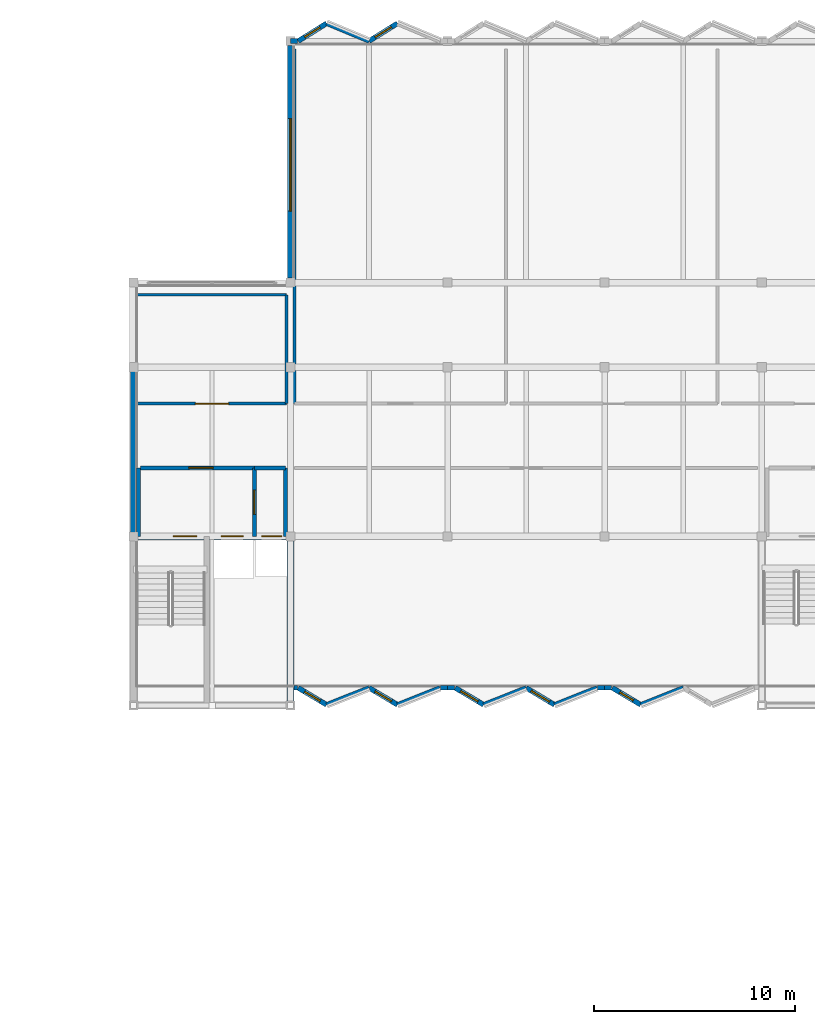
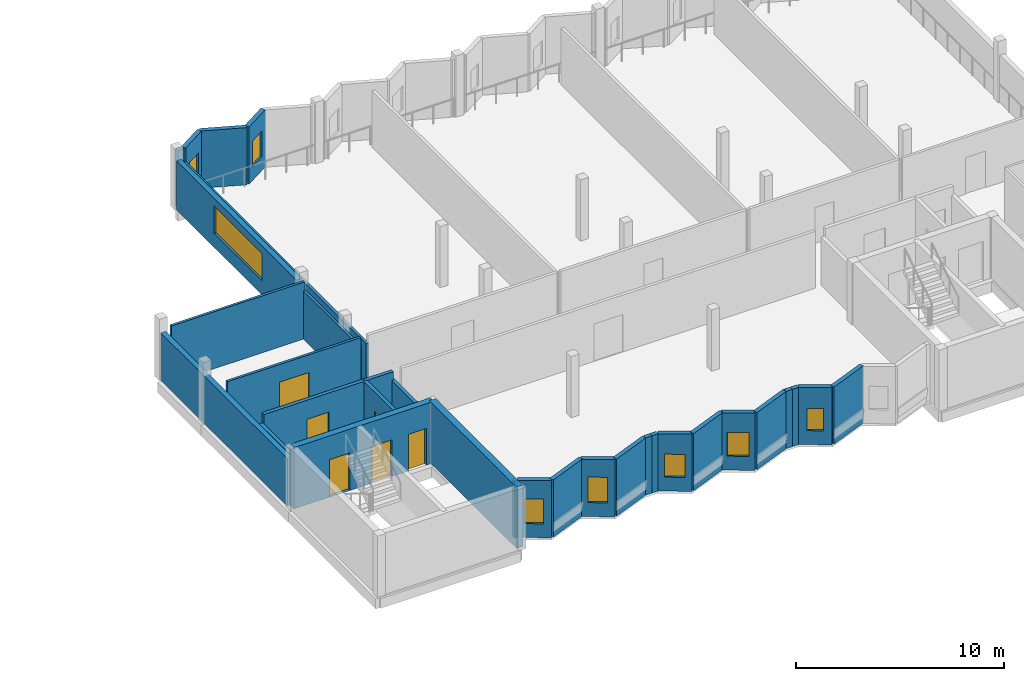
# One storey, part 16 of 25: 32 walls, 8 windows, 6 doors, 14 openings.
"""IFC4 building model written with IfcOpenShell, lengths in metres."""

import ifcopenshell
import ifcopenshell.guid

model = None  # the IFC model being written
_history = None  # IfcOwnerHistory: only IFC2X3 demands one
_inside = {}  # id of a spatial element -> (the spatial element, [elements in it])
_under = {}  # id of a project, library or spatial element -> (it, [spatial elements below it])
_declared = {}  # id of a project -> (the project, [libraries it declares])
_typed = {}  # id of a type object -> (the type object, [elements of that type])
_made_of = {}  # id of a material, layer set ... -> (it, [elements and type objects made of it])


def new_model(schema):
    """Start an empty IFC model of exactly this schema.

    Asked for "IFC4X3", IfcOpenShell would pick the latest addendum, in which some entities
    have other attributes; the version numbers below select the first issue.
    IFC2X3 requires an IfcOwnerHistory on every rooted entity: one is made here for all.
    """
    global model, _history
    if schema == "IFC4X3":
        model = ifcopenshell.file(schema_version=(4, 3, 0, 0))
    else:
        model = ifcopenshell.file(schema=schema)
    _inside.clear()
    _under.clear()
    _declared.clear()
    _typed.clear()
    _made_of.clear()
    _history = None
    if model.schema == "IFC2X3":
        org = make("IfcOrganization", Name="unknown")
        user = make(
            "IfcPersonAndOrganization",
            ThePerson=make("IfcPerson", FamilyName="unknown"),
            TheOrganization=org,
        )
        app = make(
            "IfcApplication",
            ApplicationDeveloper=org,
            Version="unknown",
            ApplicationFullName="unknown",
            ApplicationIdentifier="unknown",
        )
        _history = make(
            "IfcOwnerHistory",
            OwningUser=user,
            OwningApplication=app,
            ChangeAction="ADDED",
            CreationDate=0,
        )
    return model


def make(cls, **values):
    """One entity of the class cls with the attributes given. An attribute that is None is left unset."""
    return model.create_entity(
        cls, **{name: value for name, value in values.items() if value is not None}
    )


def rooted(cls, **values):
    """An entity with a GlobalId (a new one), such as an element, a storey or a relation."""
    return make(cls, GlobalId=ifcopenshell.guid.new(), OwnerHistory=_history, **values)


def si_unit(unit_type, name, prefix=None):
    """IfcSIUnit, for example si_unit("LENGTHUNIT", "METRE", prefix="MILLI")."""
    return make("IfcSIUnit", UnitType=unit_type, Prefix=prefix, Name=name)


def assignment(units):
    """IfcUnitAssignment: the units of a project."""
    return None if units is None else make("IfcUnitAssignment", Units=units)


def point(xyz):
    """IfcCartesianPoint."""
    return None if xyz is None else make("IfcCartesianPoint", Coordinates=xyz)


def direction(xyz):
    """IfcDirection."""
    return None if xyz is None else make("IfcDirection", DirectionRatios=xyz)


def frame(location, z_axis=None, x_axis=None):
    """IfcAxis2Placement3D, a coordinate frame: its origin and axes. An axis left out is left unset."""
    return make(
        "IfcAxis2Placement3D",
        Location=point(location),
        Axis=direction(z_axis),
        RefDirection=direction(x_axis),
    )


def frame_2d(location, x_axis=None):
    """IfcAxis2Placement2D, a coordinate frame in the plane: its origin and x axis."""
    return make(
        "IfcAxis2Placement2D", Location=point(location), RefDirection=direction(x_axis)
    )


def origin():
    """The frame at (0, 0, 0) with its axes left unset."""
    return frame((0.0, 0.0, 0.0))


def place(relative_to, where):
    """IfcLocalPlacement: puts the frame where relative to a parent placement (None: the world)."""
    return make(
        "IfcLocalPlacement", PlacementRelTo=relative_to, RelativePlacement=where
    )


def context(
    kind, dimensions, precision=None, world=None, true_north=None, identifier=None
):
    """IfcGeometricRepresentationContext, for example the 3D "Model" context."""
    return make(
        "IfcGeometricRepresentationContext",
        ContextIdentifier=identifier,
        ContextType=kind,
        CoordinateSpaceDimension=dimensions,
        Precision=precision,
        WorldCoordinateSystem=world,
        TrueNorth=true_north,
    )


def subcontext(parent, identifier, kind, view, scale=None):
    """IfcGeometricRepresentationSubContext, for example "Body" below "Model"."""
    return make(
        "IfcGeometricRepresentationSubContext",
        ContextIdentifier=identifier,
        ContextType=kind,
        ParentContext=parent,
        TargetScale=scale,
        TargetView=view,
    )


def project(units=None, contexts=None):
    """IfcProject with its units and contexts."""
    return rooted(
        "IfcProject",
        Name="project",
        RepresentationContexts=contexts,
        UnitsInContext=assignment(units),
    )


def spatial(cls, under=None, at=None, **own):
    """A site, building, storey or space (cls), placed at a placement, below another one or the project."""
    s = rooted(cls, ObjectPlacement=at, **own)
    if under is not None:
        _under.setdefault(under.id(), (under, []))[1].append(s)
    return s


def profile(cls, at=None, kind="AREA", **sizes):
    """A parametric profile (cls). Its sizes go by their IFC names, for example OverallWidth=200.0."""
    return make(cls, ProfileType=kind, Position=at, **sizes)


def rectangle(**sizes):
    """IfcRectangleProfileDef."""
    return profile("IfcRectangleProfileDef", **sizes)


def extrude(swept, where, along, depth):
    """IfcExtrudedAreaSolid: the profile swept, set in the frame where, extruded along a direction by depth."""
    return make(
        "IfcExtrudedAreaSolid",
        SweptArea=swept,
        Position=where,
        ExtrudedDirection=direction(along),
        Depth=depth,
    )


def shape(context_of_items, identifier, shape_type, items):
    """IfcShapeRepresentation: the items that make up one representation, for example the "Body"."""
    return make(
        "IfcShapeRepresentation",
        ContextOfItems=context_of_items,
        RepresentationIdentifier=identifier,
        RepresentationType=shape_type,
        Items=items,
    )


def material(Name=None, Category=None):
    """IfcMaterial."""
    return make("IfcMaterial", Name=Name, Category=Category)


def layer(
    of_material, thickness, ventilated=None, Name=None, Category=None, Priority=None
):
    """IfcMaterialLayer: one layer of a wall or slab, of a material (None: an air gap)."""
    return make(
        "IfcMaterialLayer",
        Material=of_material,
        LayerThickness=thickness,
        IsVentilated=ventilated,
        Name=Name,
        Category=Category,
        Priority=Priority,
    )


def layer_set(layers, Name=None):
    """IfcMaterialLayerSet."""
    return make("IfcMaterialLayerSet", MaterialLayers=layers, LayerSetName=Name)


def made_of(thing, what):
    """Note that an element or type object is made of a material, layer set ...; save() writes the relation."""
    if what is not None:
        _made_of.setdefault(what.id(), (what, []))[1].append(thing)
    return thing


def type_object(cls, material=None, **own):
    """A type object (cls), such as IfcWallType, which elements share."""
    return made_of(rooted(cls, **own), material)


def element(
    cls,
    number,
    at=None,
    inside=None,
    cuts=None,
    type_object=None,
    material=None,
    context=None,
    identifier="Body",
    shape_type=None,
    held_by="IfcProductDefinitionShape",
    body=None,
    shapes=None,
    **own,
):
    """One element of the class cls, such as IfcWall. Its Tag is "e" and its number.

    at: its placement. inside: the storey or other place that contains it. cuts: it is an
    opening in that element (IfcRelVoidsElement). A single representation is given by context,
    identifier, shape_type and body (its items); several are given by shapes. held_by: the class
    of the entity that holds the representations. save() writes the other relations.
    """
    e = rooted(cls, Tag="e%d" % number, ObjectPlacement=at, **own)
    if body is not None:
        shapes = [shape(context, identifier, shape_type, body)]
    if shapes is not None:
        e.Representation = make(held_by, Representations=shapes)
    if inside is not None:
        _inside.setdefault(inside.id(), (inside, []))[1].append(e)
    if cuts is not None:
        rooted(
            "IfcRelVoidsElement", RelatingBuildingElement=cuts, RelatedOpeningElement=e
        )
    if type_object is not None:
        _typed.setdefault(type_object.id(), (type_object, []))[1].append(e)
    return made_of(e, material)


def fill(opening, filler):
    """IfcRelFillsElement: the door or window that sits in an opening."""
    return rooted(
        "IfcRelFillsElement",
        RelatingOpeningElement=opening,
        RelatedBuildingElement=filler,
    )


def aggregate(whole, parts):
    """IfcRelAggregates: a whole, such as a stair, and the parts it consists of."""
    return rooted("IfcRelAggregates", RelatingObject=whole, RelatedObjects=parts)


def save(model, path):
    """Write the relations noted so far, then the file.

    IfcRelAggregates (storeys below a building ...), IfcRelContainedInSpatialStructure (elements
    in a storey), IfcRelDefinesByType, IfcRelAssociatesMaterial and IfcRelDeclares: one each for
    every whole, place, type object, material and project.
    """
    for whole, parts in _under.values():
        aggregate(whole, parts)
    for where, things in _inside.values():
        rooted(
            "IfcRelContainedInSpatialStructure",
            RelatedElements=things,
            RelatingStructure=where,
        )
    for kind, things in _typed.values():
        rooted("IfcRelDefinesByType", RelatedObjects=things, RelatingType=kind)
    for what, things in _made_of.values():
        rooted("IfcRelAssociatesMaterial", RelatedObjects=things, RelatingMaterial=what)
    for by, libraries in _declared.values():
        rooted("IfcRelDeclares", RelatingContext=by, RelatedDefinitions=libraries)
    model.write(path)


model = new_model("IFC4")

# Units and contexts
model_context = context("Model", 3, precision=1e-05, world=origin(), true_north=direction((0.0, 1.0)))
body_context = subcontext(model_context, "Body", "Model", "MODEL_VIEW")
ifc_project = project(units=[si_unit("LENGTHUNIT", "METRE"), si_unit("AREAUNIT", "SQUARE_METRE"), si_unit("VOLUMEUNIT", "CUBIC_METRE"), si_unit("PLANEANGLEUNIT", "RADIAN"), si_unit("MASSUNIT", "GRAM", prefix="KILO")], contexts=[model_context])

# Site, building, storey
site_placement = place(None, origin())
site = spatial("IfcSite", under=ifc_project, at=site_placement, CompositionType="ELEMENT")
building_placement = place(site_placement, origin())
building = spatial("IfcBuilding", under=site, at=building_placement, Name="Vharandega Faculty of Natural Sciences", CompositionType="ELEMENT")
storey_placement = place(building_placement, frame((0.0, 0.0, 25.199951171875)))
storey = spatial("IfcBuildingStorey", under=building, at=storey_placement, Name="L06", CompositionType="ELEMENT", Elevation=25.199951171875)

# Wall
ifc_material_1 = material(Name="Concrete C40/50", Category="concrete")
ifc_layer_1 = layer(ifc_material_1, 0.35009765625, Name="Concrete C40/50")
ifc_layer_set_1 = layer_set([ifc_layer_1], Name="Concrete C40/50")
wall_type_1 = type_object("IfcWallType", Name="Core Shear Wall 350", PredefinedType="SHEAR", material=ifc_layer_set_1)
wall_1_placement = place(storey_placement, frame((122.60009765625, 64.0, 0.0), z_axis=(0.0, 0.0, 1.0), x_axis=(0.0, 1.0, 0.0)))
element("IfcWall", 1, at=wall_1_placement, inside=storey, type_object=wall_type_1, Name="Interior Wall CW-C1-L06-E", PredefinedType="SHEAR", context=body_context, shape_type="SweptSolid", body=[
    extrude(rectangle(XDim=8.39990234375, YDim=0.35009765625, at=frame_2d((4.199951171875, 0.0))), origin(), (0.0, 0.0, 1.0), 3.60009765625),
])

# Wall, openings, doors
wall_2_placement = place(storey_placement, frame((114.800048828125, 72.39990234375, 0.0), z_axis=(0.0, 0.0, 1.0), x_axis=(1.0, 0.0, 0.0)))
wall_2 = element("IfcWall", 2, at=wall_2_placement, inside=storey, type_object=wall_type_1, Name="Interior Wall CW-C1-L06-N", PredefinedType="SHEAR", context=body_context, shape_type="SweptSolid", body=[
    extrude(rectangle(XDim=7.800048828125, YDim=0.35009765625, at=frame_2d((3.89990234375, 0.0))), origin(), (0.0, 0.0, 1.0), 3.60009765625),
])
opening_1_placement = place(wall_2_placement, frame((1.97998046875, 0.0, 0.0)))
opening_1 = element("IfcOpeningElement", 3, at=opening_1_placement, cuts=wall_2, Name="Opening FD1", PredefinedType="OPENING", context=body_context, shape_type="SweptSolid", body=[
    extrude(rectangle(XDim=1.14990234375, YDim=2.199951171875, at=frame_2d((0.574951171875, 1.10009765625))), frame((0.0, 0.18505859375, 0.0), z_axis=(0.0, -1.0, 0.0), x_axis=(1.0, 0.0, 0.0)), (0.0, 0.0, 1.0), 0.3701171875),
])
opening_2_placement = place(wall_2_placement, frame((4.35009765625, 0.0, 0.0)))
opening_2 = element("IfcOpeningElement", 4, at=opening_2_placement, cuts=wall_2, Name="Opening LD-FL1-L06", PredefinedType="OPENING", context=body_context, shape_type="SweptSolid", body=[
    extrude(rectangle(XDim=1.10009765625, YDim=2.14990234375, at=frame_2d((0.550048828125, 1.074951171875))), frame((0.0, 0.18505859375, 0.0), z_axis=(0.0, -1.0, 0.0), x_axis=(1.0, 0.0, 0.0)), (0.0, 0.0, 1.0), 0.3701171875),
])
opening_3_placement = place(wall_2_placement, frame((6.360107421875, 0.0, 0.0)))
opening_3 = element("IfcOpeningElement", 5, at=opening_3_placement, cuts=wall_2, Name="Opening LD-LP1-L06", PredefinedType="OPENING", context=body_context, shape_type="SweptSolid", body=[
    extrude(rectangle(XDim=1.0, YDim=2.14990234375, at=frame_2d((0.5, 1.074951171875))), frame((0.0, 0.18505859375, 0.0), z_axis=(0.0, -1.0, 0.0), x_axis=(1.0, 0.0, 0.0)), (0.0, 0.0, 1.0), 0.3701171875),
])
ifc_material_2 = material(Name="Solid-core hardwood timber fire door", Category="wood")
door_type_1 = type_object("IfcDoorType", Name="FD1-STAIR-1150x2200", OperationType="NOTDEFINED", PredefinedType="DOOR", material=ifc_material_2)
door_1_placement = place(opening_1_placement, origin())
door_1 = element("IfcDoor", 6, at=door_1_placement, inside=storey, type_object=door_type_1, Name="Stair ST1 Fire Door FD1", OperationType="SINGLE_SWING_LEFT", OverallHeight=2.199951171875, OverallWidth=1.14990234375, PredefinedType="DOOR", context=body_context, shape_type="SweptSolid", body=[
    extrude(rectangle(XDim=1.14990234375, YDim=2.199951171875, at=frame_2d((0.574951171875, 1.10009765625))), frame((0.0, 0.02490234375, 0.0), z_axis=(0.0, -1.0, 0.0), x_axis=(1.0, 0.0, 0.0)), (0.0, 0.0, 1.0), 0.050048828125),
])
fill(opening_1, door_1)
ifc_material_3 = material(Name="Brushed stainless steel sliding landing door", Category="steel")
door_type_2 = type_object("IfcDoorType", Name="LD1-FFLIFT-SLIDING-1100x2150", OperationType="DOUBLE_DOOR_SLIDING", PredefinedType="DOOR", material=ifc_material_3)
door_2_placement = place(opening_2_placement, origin())
door_2 = element("IfcDoor", 7, at=door_2_placement, inside=storey, type_object=door_type_2, Name="Lift Landing Door LD-FL1-L06", OperationType="DOUBLE_DOOR_SLIDING", OverallHeight=2.14990234375, OverallWidth=1.10009765625, PredefinedType="DOOR", context=body_context, shape_type="SweptSolid", body=[
    extrude(rectangle(XDim=1.10009765625, YDim=2.14990234375, at=frame_2d((0.550048828125, 1.074951171875))), frame((0.0, 0.02490234375, 0.0), z_axis=(0.0, -1.0, 0.0), x_axis=(1.0, 0.0, 0.0)), (0.0, 0.0, 1.0), 0.050048828125),
])
fill(opening_2, door_2)
ifc_material_4 = material(Name="Brushed stainless steel sliding landing door", Category="steel")
door_type_3 = type_object("IfcDoorType", Name="LD2-PAXLIFT-SLIDING-1000x2150", OperationType="DOUBLE_DOOR_SLIDING", PredefinedType="DOOR", material=ifc_material_4)
door_3_placement = place(opening_3_placement, origin())
door_3 = element("IfcDoor", 8, at=door_3_placement, inside=storey, type_object=door_type_3, Name="Lift Landing Door LD-LP1-L06", OperationType="DOUBLE_DOOR_SLIDING", OverallHeight=2.14990234375, OverallWidth=1.0, PredefinedType="DOOR", context=body_context, shape_type="SweptSolid", body=[
    extrude(rectangle(XDim=1.0, YDim=2.14990234375, at=frame_2d((0.5, 1.074951171875))), frame((0.0, 0.02490234375, 0.0), z_axis=(0.0, -1.0, 0.0), x_axis=(1.0, 0.0, 0.0)), (0.0, 0.0, 1.0), 0.050048828125),
])
fill(opening_3, door_3)

# Wall, opening, door
ifc_material_5 = material(Name="Concrete C40/50", Category="concrete")
ifc_layer_2 = layer(ifc_material_5, 0.199951171875, Name="Concrete C40/50")
ifc_layer_set_2 = layer_set([ifc_layer_2], Name="Concrete C40/50")
wall_type_2 = type_object("IfcWallType", Name="Firefighting Lobby Wall 200", PredefinedType="PARTITIONING", material=ifc_layer_set_2)
wall_3_placement = place(storey_placement, frame((115.14990234375, 75.800048828125, 0.0), z_axis=(0.0, 0.0, 1.0), x_axis=(1.0, 0.0, 0.0)))
wall_3 = element("IfcWall", 9, at=wall_3_placement, inside=storey, type_object=wall_type_2, Name="Interior Wall PW-FFL-C1-L06-N", PredefinedType="PARTITIONING", context=body_context, shape_type="SweptSolid", body=[
    extrude(rectangle(XDim=5.650146484375, YDim=0.199951171875, at=frame_2d((2.8251953125, 0.0))), origin(), (0.0, 0.0, 1.0), 3.320068359375),
])
opening_4_placement = place(wall_3_placement, frame((2.39990234375, 0.0, 0.0)))
opening_4 = element("IfcOpeningElement", 10, at=opening_4_placement, cuts=wall_3, Name="Opening FD2", PredefinedType="OPENING", context=body_context, shape_type="SweptSolid", body=[
    extrude(rectangle(XDim=1.199951171875, YDim=2.199951171875, at=frame_2d((0.60009765625, 1.10009765625))), frame((0.0, 0.10986328125, 0.0), z_axis=(0.0, -1.0, 0.0), x_axis=(1.0, 0.0, 0.0)), (0.0, 0.0, 1.0), 0.219970703125),
])
ifc_material_6 = material(Name="Solid-core hardwood timber fire door", Category="wood")
door_type_4 = type_object("IfcDoorType", Name="FD2-FFLOBBY-1200x2200", OperationType="NOTDEFINED", PredefinedType="DOOR", material=ifc_material_6)
door_4_placement = place(opening_4_placement, origin())
door_4 = element("IfcDoor", 11, at=door_4_placement, inside=storey, type_object=door_type_4, Name="Firefighting Lobby C1 Door FD2", OperationType="SINGLE_SWING_LEFT", OverallHeight=2.199951171875, OverallWidth=1.199951171875, PredefinedType="DOOR", context=body_context, shape_type="SweptSolid", body=[
    extrude(rectangle(XDim=1.199951171875, YDim=2.199951171875, at=frame_2d((0.60009765625, 1.10009765625))), frame((0.0, 0.02490234375, 0.0), z_axis=(0.0, -1.0, 0.0), x_axis=(1.0, 0.0, 0.0)), (0.0, 0.0, 1.0), 0.050048828125),
])
fill(opening_4, door_4)

# Wall
wall_4_placement = place(storey_placement, frame((115.050048828125, 72.39990234375, 0.0), z_axis=(0.0, 0.0, 1.0), x_axis=(0.0, 1.0, 0.0)))
element("IfcWall", 12, at=wall_4_placement, inside=storey, type_object=wall_type_2, Name="Interior Wall PW-FFL-C1-L06-W", PredefinedType="PARTITIONING", context=body_context, shape_type="SweptSolid", body=[
    extrude(rectangle(XDim=3.400146484375, YDim=0.199951171875, at=frame_2d((1.7001953125, 0.0))), origin(), (0.0, 0.0, 1.0), 2.780029296875),
])

# Wall, opening, door
wall_5_placement = place(storey_placement, frame((120.800048828125, 72.39990234375, 0.0), z_axis=(0.0, 0.0, 1.0), x_axis=(0.0, 1.0, 0.0)))
wall_5 = element("IfcWall", 13, at=wall_5_placement, inside=storey, type_object=wall_type_2, Name="Interior Wall PW-FFL-C1-L06-E", PredefinedType="PARTITIONING", context=body_context, shape_type="SweptSolid", body=[
    extrude(rectangle(XDim=3.400146484375, YDim=0.199951171875, at=frame_2d((1.7001953125, 0.0))), origin(), (0.0, 0.0, 1.0), 3.320068359375),
])
opening_5_placement = place(wall_5_placement, frame((1.10009765625, 0.0, 0.0)))
opening_5 = element("IfcOpeningElement", 14, at=opening_5_placement, cuts=wall_5, Name="Opening FD2", PredefinedType="OPENING", context=body_context, shape_type="SweptSolid", body=[
    extrude(rectangle(XDim=1.199951171875, YDim=2.199951171875, at=frame_2d((0.60009765625, 1.10009765625))), frame((0.0, 0.10986328125, 0.0), z_axis=(0.0, -1.0, 0.0), x_axis=(1.0, 0.0, 0.0)), (0.0, 0.0, 1.0), 0.219970703125),
])
door_5_placement = place(opening_5_placement, origin())
door_5 = element("IfcDoor", 15, at=door_5_placement, inside=storey, type_object=door_type_4, Name="Lobby Interconnect C1 Door FD2", OperationType="SINGLE_SWING_RIGHT", OverallHeight=2.199951171875, OverallWidth=1.199951171875, PredefinedType="DOOR", context=body_context, shape_type="SweptSolid", body=[
    extrude(rectangle(XDim=1.199951171875, YDim=2.199951171875, at=frame_2d((0.60009765625, 1.10009765625))), frame((0.0, 0.02490234375, 0.0), z_axis=(0.0, -1.0, 0.0), x_axis=(1.0, 0.0, 0.0)), (0.0, 0.0, 1.0), 0.050048828125),
])
fill(opening_5, door_5)

# Walls
wall_6_placement = place(storey_placement, frame((120.800048828125, 75.800048828125, 0.0), z_axis=(0.0, 0.0, 1.0), x_axis=(1.0, 0.0, 0.0)))
element("IfcWall", 16, at=wall_6_placement, inside=storey, type_object=wall_type_2, Name="Interior Wall PW-LL-C1-L06-N", PredefinedType="PARTITIONING", context=body_context, shape_type="SweptSolid", body=[
    extrude(rectangle(XDim=1.550048828125, YDim=0.199951171875, at=frame_2d((0.77490234375, 0.0))), origin(), (0.0, 0.0, 1.0), 3.320068359375),
])
wall_7_placement = place(storey_placement, frame((122.35009765625, 72.39990234375, 0.0), z_axis=(0.0, 0.0, 1.0), x_axis=(0.0, 1.0, 0.0)))
element("IfcWall", 17, at=wall_7_placement, inside=storey, type_object=wall_type_2, Name="Interior Wall PW-LL-C1-L06-E", PredefinedType="PARTITIONING", context=body_context, shape_type="SweptSolid", body=[
    extrude(rectangle(XDim=3.400146484375, YDim=0.199951171875, at=frame_2d((1.7001953125, 0.0))), origin(), (0.0, 0.0, 1.0), 2.820068359375),
])
ifc_material_7 = material(Name="Gypsum fire-board on steel stud", Category="steel")
ifc_layer_3 = layer(ifc_material_7, 0.159912109375, Name="Gypsum fire-board on steel stud")
ifc_layer_set_3 = layer_set([ifc_layer_3], Name="Gypsum fire-board on steel stud")
wall_type_3 = type_object("IfcWallType", Name="Laboratory Fire Corridor Wall 160", PredefinedType="PARTITIONING", material=ifc_layer_set_3)
wall_8_placement = place(storey_placement, frame((122.800048828125, 79.0, 0.0), z_axis=(0.0, 0.0, 1.0), x_axis=(0.0, 1.0, 0.0)))
element("IfcWall", 18, at=wall_8_placement, inside=storey, type_object=wall_type_3, Name="Interior Wall PW-L06-R12W", PredefinedType="PARTITIONING", context=body_context, shape_type="SweptSolid", body=[
    extrude(rectangle(XDim=17.60009765625, YDim=0.159912109375, at=frame_2d((8.800048828125, 0.0))), origin(), (0.0, 0.0, 1.0), 2.820068359375),
])

# Wall, opening, door
ifc_material_8 = material(Name="Gypsum acoustic partition", Category="gypsum")
ifc_layer_4 = layer(ifc_material_8, 0.139892578125, Name="Gypsum acoustic partition")
ifc_layer_set_4 = layer_set([ifc_layer_4], Name="Gypsum acoustic partition")
wall_type_4 = type_object("IfcWallType", Name="Room Partition Wall 140", PredefinedType="PARTITIONING", material=ifc_layer_set_4)
wall_9_placement = place(storey_placement, frame((115.0, 79.0, 0.0), z_axis=(0.0, 0.0, 1.0), x_axis=(1.0, 0.0, 0.0)))
wall_9 = element("IfcWall", 19, at=wall_9_placement, inside=storey, type_object=wall_type_4, Name="Interior Wall PW-L06-R06S", PredefinedType="PARTITIONING", context=body_context, shape_type="SweptSolid", body=[
    extrude(rectangle(XDim=7.39990234375, YDim=0.139892578125, at=frame_2d((3.699951171875, 0.0))), origin(), (0.0, 0.0, 1.0), 3.340087890625),
])
opening_6_placement = place(wall_9_placement, frame((2.875, 0.0, 0.0)))
opening_6 = element("IfcOpeningElement", 20, at=opening_6_placement, cuts=wall_9, Name="Opening D0327", PredefinedType="OPENING", context=body_context, shape_type="SweptSolid", body=[
    extrude(rectangle(XDim=1.64990234375, YDim=2.300048828125, at=frame_2d((0.824951171875, 1.14990234375))), frame((0.0, 0.080078125, 0.0), z_axis=(0.0, -1.0, 0.0), x_axis=(1.0, 0.0, 0.0)), (0.0, 0.0, 1.0), 0.159912109375),
])
ifc_material_9 = material(Name="Solid-core hardwood timber fire door", Category="wood")
door_type_5 = type_object("IfcDoorType", Name="ID11-BOARDROOM-DBL-1650x2300", OperationType="DOUBLE_DOOR_SINGLE_SWING", PredefinedType="DOOR", material=ifc_material_9)
door_6_placement = place(opening_6_placement, origin())
door_6 = element("IfcDoor", 21, at=door_6_placement, inside=storey, type_object=door_type_5, Name="Cryo-Specimen Preparation Room Door D0327", OperationType="DOUBLE_DOOR_SINGLE_SWING", OverallHeight=2.300048828125, OverallWidth=1.64990234375, PredefinedType="DOOR", context=body_context, shape_type="SweptSolid", body=[
    extrude(rectangle(XDim=1.64990234375, YDim=2.300048828125, at=frame_2d((0.824951171875, 1.14990234375))), frame((0.0, 0.02490234375, 0.0), z_axis=(0.0, -1.0, 0.0), x_axis=(1.0, 0.0, 0.0)), (0.0, 0.0, 1.0), 0.050048828125),
])
fill(opening_6, door_6)

# Walls
wall_10_placement = place(storey_placement, frame((115.0, 84.39990234375, 0.0), z_axis=(0.0, 0.0, 1.0), x_axis=(1.0, 0.0, 0.0)))
element("IfcWall", 22, at=wall_10_placement, inside=storey, type_object=wall_type_4, Name="Interior Wall PW-L06-R06N", PredefinedType="PARTITIONING", context=body_context, shape_type="SweptSolid", body=[
    extrude(rectangle(XDim=7.39990234375, YDim=0.139892578125, at=frame_2d((3.699951171875, 0.0))), origin(), (0.0, 0.0, 1.0), 3.340087890625),
])
wall_11_placement = place(storey_placement, frame((122.39990234375, 79.0, 0.0), z_axis=(0.0, 0.0, 1.0), x_axis=(0.0, 1.0, 0.0)))
element("IfcWall", 23, at=wall_11_placement, inside=storey, type_object=wall_type_4, Name="Interior Wall PW-L06-R06E", PredefinedType="PARTITIONING", context=body_context, shape_type="SweptSolid", body=[
    extrude(rectangle(XDim=5.39990234375, YDim=0.139892578125, at=frame_2d((2.699951171875, 0.0))), origin(), (0.0, 0.0, 1.0), 2.820068359375),
])

# Wall, opening, window
ifc_material_10 = material(Name="Precast concrete C40/50", Category="concrete")
ifc_layer_5 = layer(ifc_material_10, 0.25, Name="Precast concrete C40/50")
ifc_layer_set_5 = layer_set([ifc_layer_5], Name="Precast concrete C40/50")
wall_type_5 = type_object("IfcWallType", Name="Sawtooth Glazed-Face Precast Wall 250", PredefinedType="SOLIDWALL", material=ifc_layer_set_5)
wall_12_placement = place(storey_placement, frame((122.97998046875, 97.0, 0.0), z_axis=(0.0, 0.0, 1.0), x_axis=(0.848023086369, 0.529959286158, 0.0)))
wall_12 = element("IfcWall", 24, at=wall_12_placement, inside=storey, type_object=wall_type_5, Name="Exterior Wall EW-SAW-L06-N01G", PredefinedType="SOLIDWALL", context=body_context, shape_type="SweptSolid", body=[
    extrude(rectangle(XDim=1.660400390625, YDim=0.25, at=frame_2d((0.830078125, 0.0))), origin(), (0.0, 0.0, 1.0), 3.360107421875),
])
opening_7_placement = place(wall_12_placement, frame((0.380126953125, 0.0, 0.820068359375)))
opening_7 = element("IfcOpeningElement", 25, at=opening_7_placement, cuts=wall_12, Name="Opening WN-03", PredefinedType="OPENING", context=body_context, shape_type="SweptSolid", body=[
    extrude(rectangle(XDim=0.89990234375, YDim=1.449951171875, at=frame_2d((0.449951171875, 0.72509765625))), frame((0.0, 0.135009765625, 0.0), z_axis=(0.0, -1.0, 0.0), x_axis=(1.0, 0.0, 0.0)), (0.0, 0.0, 1.0), 0.27001953125),
])
ifc_material_11 = material(Name="Double-glazed solar-control glass in thermally broken aluminium frame", Category="aluminium")
window_type_1 = type_object("IfcWindowType", Name="WIN-SAW-090x145", PartitioningType="SINGLE_PANEL", PredefinedType="WINDOW", material=ifc_material_11)
window_1_placement = place(opening_7_placement, origin())
window_1 = element("IfcWindow", 26, at=window_1_placement, inside=storey, type_object=window_type_1, Name="Window WIN-L06-0029", OverallHeight=1.449951171875, OverallWidth=0.89990234375, PartitioningType="SINGLE_PANEL", PredefinedType="WINDOW", context=body_context, shape_type="SweptSolid", body=[
    extrude(rectangle(XDim=0.89990234375, YDim=1.449951171875, at=frame_2d((0.449951171875, 0.72509765625))), frame((0.0, 0.030029296875, 0.0), z_axis=(0.0, -1.0, 0.0), x_axis=(1.0, 0.0, 0.0)), (0.0, 0.0, 1.0), 0.06005859375),
])
fill(opening_7, window_1)

wall_13_placement = place(storey_placement, frame((126.5, 97.0, 0.0), z_axis=(0.0, 0.0, 1.0), x_axis=(0.848023086369, 0.529959286158, 0.0)))
wall_13 = element("IfcWall", 27, at=wall_13_placement, inside=storey, type_object=wall_type_5, Name="Exterior Wall EW-SAW-L06-N02G", PredefinedType="SOLIDWALL", context=body_context, shape_type="SweptSolid", body=[
    extrude(rectangle(XDim=1.660400390625, YDim=0.25, at=frame_2d((0.830078125, 0.0))), origin(), (0.0, 0.0, 1.0), 3.360107421875),
])
opening_8_placement = place(wall_13_placement, frame((0.355224609375, 0.0, 0.820068359375)))
opening_8 = element("IfcOpeningElement", 28, at=opening_8_placement, cuts=wall_13, Name="Opening WN-04", PredefinedType="OPENING", context=body_context, shape_type="SweptSolid", body=[
    extrude(rectangle(XDim=0.949951171875, YDim=1.5, at=frame_2d((0.47509765625, 0.75))), frame((0.0, 0.135009765625, 0.0), z_axis=(0.0, -1.0, 0.0), x_axis=(1.0, 0.0, 0.0)), (0.0, 0.0, 1.0), 0.27001953125),
])
ifc_material_12 = material(Name="Double-glazed solar-control glass in thermally broken aluminium frame", Category="aluminium")
window_type_2 = type_object("IfcWindowType", Name="WIN-SAW-095x150", PartitioningType="SINGLE_PANEL", PredefinedType="WINDOW", material=ifc_material_12)
window_2_placement = place(opening_8_placement, origin())
window_2 = element("IfcWindow", 29, at=window_2_placement, inside=storey, type_object=window_type_2, Name="Window WIN-L06-0030", OverallHeight=1.5, OverallWidth=0.949951171875, PartitioningType="SINGLE_PANEL", PredefinedType="WINDOW", context=body_context, shape_type="SweptSolid", body=[
    extrude(rectangle(XDim=0.949951171875, YDim=1.5, at=frame_2d((0.47509765625, 0.75))), frame((0.0, 0.030029296875, 0.0), z_axis=(0.0, -1.0, 0.0), x_axis=(1.0, 0.0, 0.0)), (0.0, 0.0, 1.0), 0.06005859375),
])
fill(opening_8, window_2)

wall_14_placement = place(storey_placement, frame((124.387939453125, 64.0400390625, 0.0), z_axis=(0.0, 0.0, 1.0), x_axis=(-0.858817206091, 0.512282155185, 0.0)))
wall_14 = element("IfcWall", 30, at=wall_14_placement, inside=storey, type_object=wall_type_5, Name="Exterior Wall EW-SAW-L06-S01G", PredefinedType="SOLIDWALL", context=body_context, shape_type="SweptSolid", body=[
    extrude(rectangle(XDim=1.639404296875, YDim=0.25, at=frame_2d((0.81982421875, 0.0))), origin(), (0.0, 0.0, 1.0), 3.360107421875),
])
opening_9_placement = place(wall_14_placement, frame((0.369873046875, 0.0, 0.820068359375)))
opening_9 = element("IfcOpeningElement", 31, at=opening_9_placement, cuts=wall_14, Name="Opening WN-03", PredefinedType="OPENING", context=body_context, shape_type="SweptSolid", body=[
    extrude(rectangle(XDim=0.89990234375, YDim=1.449951171875, at=frame_2d((0.449951171875, 0.72509765625))), frame((0.0, 0.135009765625, 0.0), z_axis=(0.0, -1.0, 0.0), x_axis=(1.0, 0.0, 0.0)), (0.0, 0.0, 1.0), 0.27001953125),
])
window_3_placement = place(opening_9_placement, origin())
window_3 = element("IfcWindow", 32, at=window_3_placement, inside=storey, type_object=window_type_1, Name="Window WIN-L06-0039", OverallHeight=1.449951171875, OverallWidth=0.89990234375, PartitioningType="SINGLE_PANEL", PredefinedType="WINDOW", context=body_context, shape_type="SweptSolid", body=[
    extrude(rectangle(XDim=0.89990234375, YDim=1.449951171875, at=frame_2d((0.449951171875, 0.72509765625))), frame((0.0, 0.030029296875, 0.0), z_axis=(0.0, -1.0, 0.0), x_axis=(1.0, 0.0, 0.0)), (0.0, 0.0, 1.0), 0.06005859375),
])
fill(opening_9, window_3)

wall_15_placement = place(storey_placement, frame((127.907958984375, 64.0400390625, 0.0), z_axis=(0.0, 0.0, 1.0), x_axis=(-0.858817206091, 0.512282155185, 0.0)))
wall_15 = element("IfcWall", 33, at=wall_15_placement, inside=storey, type_object=wall_type_5, Name="Exterior Wall EW-SAW-L06-S02G", PredefinedType="SOLIDWALL", context=body_context, shape_type="SweptSolid", body=[
    extrude(rectangle(XDim=1.639404296875, YDim=0.25, at=frame_2d((0.81982421875, 0.0))), origin(), (0.0, 0.0, 1.0), 3.360107421875),
])
opening_10_placement = place(wall_15_placement, frame((0.3447265625, 0.0, 0.820068359375)))
opening_10 = element("IfcOpeningElement", 34, at=opening_10_placement, cuts=wall_15, Name="Opening WN-04", PredefinedType="OPENING", context=body_context, shape_type="SweptSolid", body=[
    extrude(rectangle(XDim=0.949951171875, YDim=1.5, at=frame_2d((0.47509765625, 0.75))), frame((0.0, 0.135009765625, 0.0), z_axis=(0.0, -1.0, 0.0), x_axis=(1.0, 0.0, 0.0)), (0.0, 0.0, 1.0), 0.27001953125),
])
window_4_placement = place(opening_10_placement, origin())
window_4 = element("IfcWindow", 35, at=window_4_placement, inside=storey, type_object=window_type_2, Name="Window WIN-L06-0040", OverallHeight=1.5, OverallWidth=0.949951171875, PartitioningType="SINGLE_PANEL", PredefinedType="WINDOW", context=body_context, shape_type="SweptSolid", body=[
    extrude(rectangle(XDim=0.949951171875, YDim=1.5, at=frame_2d((0.47509765625, 0.75))), frame((0.0, 0.030029296875, 0.0), z_axis=(0.0, -1.0, 0.0), x_axis=(1.0, 0.0, 0.0)), (0.0, 0.0, 1.0), 0.06005859375),
])
fill(opening_10, window_4)

wall_16_placement = place(storey_placement, frame((132.18798828125, 64.0400390625, 0.0), z_axis=(0.0, 0.0, 1.0), x_axis=(-0.858817206091, 0.512282155185, 0.0)))
wall_16 = element("IfcWall", 36, at=wall_16_placement, inside=storey, type_object=wall_type_5, Name="Exterior Wall EW-SAW-L06-S03G", PredefinedType="SOLIDWALL", context=body_context, shape_type="SweptSolid", body=[
    extrude(rectangle(XDim=1.639404296875, YDim=0.25, at=frame_2d((0.81982421875, 0.0))), origin(), (0.0, 0.0, 1.0), 3.360107421875),
])
opening_11_placement = place(wall_16_placement, frame((0.31982421875, 0.0, 0.820068359375)))
opening_11 = element("IfcOpeningElement", 37, at=opening_11_placement, cuts=wall_16, Name="Opening WN-05", PredefinedType="OPENING", context=body_context, shape_type="SweptSolid", body=[
    extrude(rectangle(XDim=1.0, YDim=1.35009765625, at=frame_2d((0.5, 0.675048828125))), frame((0.0, 0.135009765625, 0.0), z_axis=(0.0, -1.0, 0.0), x_axis=(1.0, 0.0, 0.0)), (0.0, 0.0, 1.0), 0.27001953125),
])
ifc_material_13 = material(Name="Double-glazed solar-control glass in thermally broken aluminium frame", Category="aluminium")
window_type_3 = type_object("IfcWindowType", Name="WIN-SAW-100x135", PartitioningType="SINGLE_PANEL", PredefinedType="WINDOW", material=ifc_material_13)
window_5_placement = place(opening_11_placement, origin())
window_5 = element("IfcWindow", 38, at=window_5_placement, inside=storey, type_object=window_type_3, Name="Window WIN-L06-0041", OverallHeight=1.35009765625, OverallWidth=1.0, PartitioningType="SINGLE_PANEL", PredefinedType="WINDOW", context=body_context, shape_type="SweptSolid", body=[
    extrude(rectangle(XDim=1.0, YDim=1.35009765625, at=frame_2d((0.5, 0.675048828125))), frame((0.0, 0.030029296875, 0.0), z_axis=(0.0, -1.0, 0.0), x_axis=(1.0, 0.0, 0.0)), (0.0, 0.0, 1.0), 0.06005859375),
])
fill(opening_11, window_5)

wall_17_placement = place(storey_placement, frame((135.7080078125, 64.0400390625, 0.0), z_axis=(0.0, 0.0, 1.0), x_axis=(-0.858817206091, 0.512282155185, 0.0)))
wall_17 = element("IfcWall", 39, at=wall_17_placement, inside=storey, type_object=wall_type_5, Name="Exterior Wall EW-SAW-L06-S04G", PredefinedType="SOLIDWALL", context=body_context, shape_type="SweptSolid", body=[
    extrude(rectangle(XDim=1.639404296875, YDim=0.25, at=frame_2d((0.81982421875, 0.0))), origin(), (0.0, 0.0, 1.0), 3.360107421875),
])
opening_12_placement = place(wall_17_placement, frame((0.294921875, 0.0, 0.820068359375)))
opening_12 = element("IfcOpeningElement", 40, at=opening_12_placement, cuts=wall_17, Name="Opening WN-06", PredefinedType="OPENING", context=body_context, shape_type="SweptSolid", body=[
    extrude(rectangle(XDim=1.050048828125, YDim=1.39990234375, at=frame_2d((0.52490234375, 0.699951171875))), frame((0.0, 0.135009765625, 0.0), z_axis=(0.0, -1.0, 0.0), x_axis=(1.0, 0.0, 0.0)), (0.0, 0.0, 1.0), 0.27001953125),
])
ifc_material_14 = material(Name="Double-glazed solar-control glass in thermally broken aluminium frame", Category="aluminium")
window_type_4 = type_object("IfcWindowType", Name="WIN-SAW-105x140", PartitioningType="SINGLE_PANEL", PredefinedType="WINDOW", material=ifc_material_14)
window_6_placement = place(opening_12_placement, origin())
window_6 = element("IfcWindow", 41, at=window_6_placement, inside=storey, type_object=window_type_4, Name="Window WIN-L06-0042", OverallHeight=1.39990234375, OverallWidth=1.050048828125, PartitioningType="SINGLE_PANEL", PredefinedType="WINDOW", context=body_context, shape_type="SweptSolid", body=[
    extrude(rectangle(XDim=1.050048828125, YDim=1.39990234375, at=frame_2d((0.52490234375, 0.699951171875))), frame((0.0, 0.030029296875, 0.0), z_axis=(0.0, -1.0, 0.0), x_axis=(1.0, 0.0, 0.0)), (0.0, 0.0, 1.0), 0.06005859375),
])
fill(opening_12, window_6)

wall_18_placement = place(storey_placement, frame((139.988037109375, 64.0400390625, 0.0), z_axis=(0.0, 0.0, 1.0), x_axis=(-0.858817206091, 0.512282155185, 0.0)))
wall_18 = element("IfcWall", 42, at=wall_18_placement, inside=storey, type_object=wall_type_5, Name="Exterior Wall EW-SAW-L06-S05G", PredefinedType="SOLIDWALL", context=body_context, shape_type="SweptSolid", body=[
    extrude(rectangle(XDim=1.639404296875, YDim=0.25, at=frame_2d((0.81982421875, 0.0))), origin(), (0.0, 0.0, 1.0), 3.360107421875),
])
opening_13_placement = place(wall_18_placement, frame((0.4296875, 0.0, 0.820068359375)))
opening_13 = element("IfcOpeningElement", 43, at=opening_13_placement, cuts=wall_18, Name="Opening WN-06A", PredefinedType="OPENING", context=body_context, shape_type="SweptSolid", body=[
    extrude(rectangle(XDim=0.780029296875, YDim=1.300048828125, at=frame_2d((0.39013671875, 0.64990234375))), frame((0.0, 0.135009765625, 0.0), z_axis=(0.0, -1.0, 0.0), x_axis=(1.0, 0.0, 0.0)), (0.0, 0.0, 1.0), 0.27001953125),
])
ifc_material_15 = material(Name="Double-glazed solar-control glass in thermally broken aluminium frame", Category="aluminium")
window_type_5 = type_object("IfcWindowType", Name="WIN-SAW-078x130", PartitioningType="SINGLE_PANEL", PredefinedType="WINDOW", material=ifc_material_15)
window_7_placement = place(opening_13_placement, origin())
window_7 = element("IfcWindow", 44, at=window_7_placement, inside=storey, type_object=window_type_5, Name="Window WIN-L06-0043", OverallHeight=1.300048828125, OverallWidth=0.780029296875, PartitioningType="SINGLE_PANEL", PredefinedType="WINDOW", context=body_context, shape_type="SweptSolid", body=[
    extrude(rectangle(XDim=0.780029296875, YDim=1.300048828125, at=frame_2d((0.39013671875, 0.64990234375))), frame((0.0, 0.030029296875, 0.0), z_axis=(0.0, -1.0, 0.0), x_axis=(1.0, 0.0, 0.0)), (0.0, 0.0, 1.0), 0.06005859375),
])
fill(opening_13, window_7)

# Walls
ifc_material_16 = material(Name="Precast concrete C40/50", Category="concrete")
ifc_layer_6 = layer(ifc_material_16, 0.22998046875, Name="Precast concrete C40/50")
ifc_layer_set_6 = layer_set([ifc_layer_6], Name="Precast concrete C40/50")
wall_type_6 = type_object("IfcWallType", Name="Sawtooth Solid White Precast Wall 230", PredefinedType="SOLIDWALL", material=ifc_layer_set_6)
wall_19_placement = place(storey_placement, frame((122.60009765625, 97.0, 0.0), z_axis=(0.0, 0.0, 1.0), x_axis=(1.0, 0.0, 0.0)))
element("IfcWall", 45, at=wall_19_placement, inside=storey, type_object=wall_type_6, Name="Exterior Wall EW-SHL-L06-N16L", PredefinedType="SOLIDWALL", context=body_context, shape_type="SweptSolid", body=[
    extrude(rectangle(XDim=0.349853515625, YDim=0.22998046875, at=frame_2d((0.1748046875, 0.0))), origin(), (0.0, 0.0, 1.0), 3.360107421875),
])
wall_20_placement = place(storey_placement, frame((122.949951171875, 64.8798828125, 0.0), z_axis=(0.0, 0.0, 1.0), x_axis=(-1.0, 0.0, 0.0)))
element("IfcWall", 46, at=wall_20_placement, inside=storey, type_object=wall_type_6, Name="Exterior Wall EW-SHL-L06-S1617FL", PredefinedType="SOLIDWALL", context=body_context, shape_type="SweptSolid", body=[
    extrude(rectangle(XDim=0.179931640625, YDim=0.22998046875, at=frame_2d((0.08984375, 0.0))), origin(), (0.0, 0.0, 1.0), 3.360107421875),
])
wall_21_placement = place(storey_placement, frame((130.39990234375, 64.8798828125, 0.0), z_axis=(0.0, 0.0, 1.0), x_axis=(-1.0, 0.0, 0.0)))
element("IfcWall", 47, at=wall_21_placement, inside=storey, type_object=wall_type_6, Name="Exterior Wall EW-SHL-L06-S1617FR", PredefinedType="SOLIDWALL", context=body_context, shape_type="SweptSolid", body=[
    extrude(rectangle(XDim=0.35986328125, YDim=0.22998046875, at=frame_2d((0.179931640625, 0.0))), origin(), (0.0, 0.0, 1.0), 3.360107421875),
])
wall_22_placement = place(storey_placement, frame((130.75, 64.8798828125, 0.0), z_axis=(0.0, 0.0, 1.0), x_axis=(-1.0, 0.0, 0.0)))
element("IfcWall", 48, at=wall_22_placement, inside=storey, type_object=wall_type_6, Name="Exterior Wall EW-SHL-L06-S1718FL", PredefinedType="SOLIDWALL", context=body_context, shape_type="SweptSolid", body=[
    extrude(rectangle(XDim=0.35009765625, YDim=0.22998046875, at=frame_2d((0.175048828125, 0.0))), origin(), (0.0, 0.0, 1.0), 3.360107421875),
])
wall_23_placement = place(storey_placement, frame((138.199951171875, 64.8798828125, 0.0), z_axis=(0.0, 0.0, 1.0), x_axis=(-1.0, 0.0, 0.0)))
element("IfcWall", 49, at=wall_23_placement, inside=storey, type_object=wall_type_6, Name="Exterior Wall EW-SHL-L06-S1718FR", PredefinedType="SOLIDWALL", context=body_context, shape_type="SweptSolid", body=[
    extrude(rectangle(XDim=0.35986328125, YDim=0.22998046875, at=frame_2d((0.179931640625, 0.0))), origin(), (0.0, 0.0, 1.0), 3.360107421875),
])
wall_24_placement = place(storey_placement, frame((138.550048828125, 64.8798828125, 0.0), z_axis=(0.0, 0.0, 1.0), x_axis=(-1.0, 0.0, 0.0)))
element("IfcWall", 50, at=wall_24_placement, inside=storey, type_object=wall_type_6, Name="Exterior Wall EW-SHL-L06-S1819FL", PredefinedType="SOLIDWALL", context=body_context, shape_type="SweptSolid", body=[
    extrude(rectangle(XDim=0.35009765625, YDim=0.22998046875, at=frame_2d((0.175048828125, 0.0))), origin(), (0.0, 0.0, 1.0), 3.360107421875),
])
wall_25_placement = place(storey_placement, frame((124.387939453125, 97.8798828125, 0.0), z_axis=(0.0, 0.0, 1.0), x_axis=(0.92309902008, -0.384562347517, 0.0)))
element("IfcWall", 51, at=wall_25_placement, inside=storey, type_object=wall_type_6, Name="Exterior Wall EW-SAW-L06-N01S", PredefinedType="SOLIDWALL", context=body_context, shape_type="SweptSolid", body=[
    extrude(rectangle(XDim=2.2880859375, YDim=0.22998046875, at=frame_2d((1.14404296875, 0.0))), origin(), (0.0, 0.0, 1.0), 3.360107421875),
])
for number, where, z_axis, x_axis, name in (
    (52, (126.5, 64.8798828125, 0.0), (0.0, 0.0, 1.0), (-0.929230364612, -0.369500919462, 0.0), "Exterior Wall EW-SAW-L06-S01S"),
    (53, (130.02001953125, 64.8798828125, 0.0), (0.0, 0.0, 1.0), (-0.929230364612, -0.369500919462, 0.0), "Exterior Wall EW-SAW-L06-S02S"),
    (54, (134.300048828125, 64.8798828125, 0.0), (0.0, 0.0, 1.0), (-0.929230364612, -0.369500919462, 0.0), "Exterior Wall EW-SAW-L06-S03S"),
    (55, (137.820068359375, 64.8798828125, 0.0), (0.0, 0.0, 1.0), (-0.929230364612, -0.369500919462, 0.0), "Exterior Wall EW-SAW-L06-S04S"),
    (56, (142.10009765625, 64.8798828125, 0.0), (0.0, 0.0, 1.0), (-0.929230364612, -0.369500919462, 0.0), "Exterior Wall EW-SAW-L06-S05S"),
):
    element("IfcWall", number, at=place(storey_placement, frame(where, z_axis=z_axis, x_axis=x_axis)), inside=storey, type_object=wall_type_6, Name=name, PredefinedType="SOLIDWALL", context=body_context, shape_type="SweptSolid", body=[
        extrude(rectangle(XDim=2.27294921875, YDim=0.22998046875, at=frame_2d((1.136474609375, 0.0))), origin(), (0.0, 0.0, 1.0), 3.360107421875),
    ])

# Wall, opening, window
ifc_material_17 = material(Name="Precast concrete C40/50", Category="concrete")
ifc_layer_7 = layer(ifc_material_17, 0.280029296875, Name="Precast concrete C40/50")
ifc_layer_set_7 = layer_set([ifc_layer_7], Name="Precast concrete C40/50")
wall_type_7 = type_object("IfcWallType", Name="White Precast End Wall 280", PredefinedType="SOLIDWALL", material=ifc_layer_set_7)
wall_26_placement = place(storey_placement, frame((122.60009765625, 85.222900390625, 0.0), z_axis=(0.0, 0.0, 1.0), x_axis=(0.0, 1.0, 0.0)))
wall_26 = element("IfcWall", 57, at=wall_26_placement, inside=storey, type_object=wall_type_7, Name="Exterior Wall EW-L06-V4CW", PredefinedType="SOLIDWALL", context=body_context, shape_type="SweptSolid", body=[
    extrude(rectangle(XDim=11.55419921875, YDim=0.280029296875, at=frame_2d((5.777099609375, 0.0))), origin(), (0.0, 0.0, 1.0), 2.880126953125),
])
opening_14_placement = place(wall_26_placement, frame((3.326904296875, 0.0, 0.820068359375)))
opening_14 = element("IfcOpeningElement", 58, at=opening_14_placement, cuts=wall_26, Name="Opening WN-14", PredefinedType="OPENING", context=body_context, shape_type="SweptSolid", body=[
    extrude(rectangle(XDim=4.60009765625, YDim=1.60009765625, at=frame_2d((2.300048828125, 0.800048828125))), frame((0.0, 0.14990234375, 0.0), z_axis=(0.0, -1.0, 0.0), x_axis=(1.0, 0.0, 0.0)), (0.0, 0.0, 1.0), 0.300048828125),
])
ifc_material_18 = material(Name="Double-glazed solar-control glass in thermally broken aluminium frame", Category="aluminium")
window_type_6 = type_object("IfcWindowType", Name="WIN-MON-460x160", PartitioningType="DOUBLE_PANEL_VERTICAL", PredefinedType="WINDOW", material=ifc_material_18)
window_8_placement = place(opening_14_placement, origin())
window_8 = element("IfcWindow", 59, at=window_8_placement, inside=storey, type_object=window_type_6, Name="Window WIN-L06-0028", OverallHeight=1.60009765625, OverallWidth=4.60009765625, PartitioningType="SINGLE_PANEL", PredefinedType="WINDOW", context=body_context, shape_type="SweptSolid", body=[
    extrude(rectangle(XDim=4.60009765625, YDim=1.60009765625, at=frame_2d((2.300048828125, 0.800048828125))), frame((0.0, 0.030029296875, 0.0), z_axis=(0.0, -1.0, 0.0), x_axis=(1.0, 0.0, 0.0)), (0.0, 0.0, 1.0), 0.06005859375),
])
fill(opening_14, window_8)

# Wall
wall_27_placement = place(storey_placement, frame((114.800048828125, 72.60009765625, 0.0), z_axis=(0.0, 0.0, 1.0), x_axis=(0.0, 1.0, 0.0)))
element("IfcWall", 60, at=wall_27_placement, inside=storey, type_object=wall_type_7, Name="Exterior Wall EW-L06-V4C1W", PredefinedType="SOLIDWALL", context=body_context, shape_type="SweptSolid", body=[
    extrude(rectangle(XDim=12.199951171875, YDim=0.280029296875, at=frame_2d((6.10009765625, 0.0))), origin(), (0.0, 0.0, 1.0), 2.780029296875),
])

save(model, "model.ifc")
